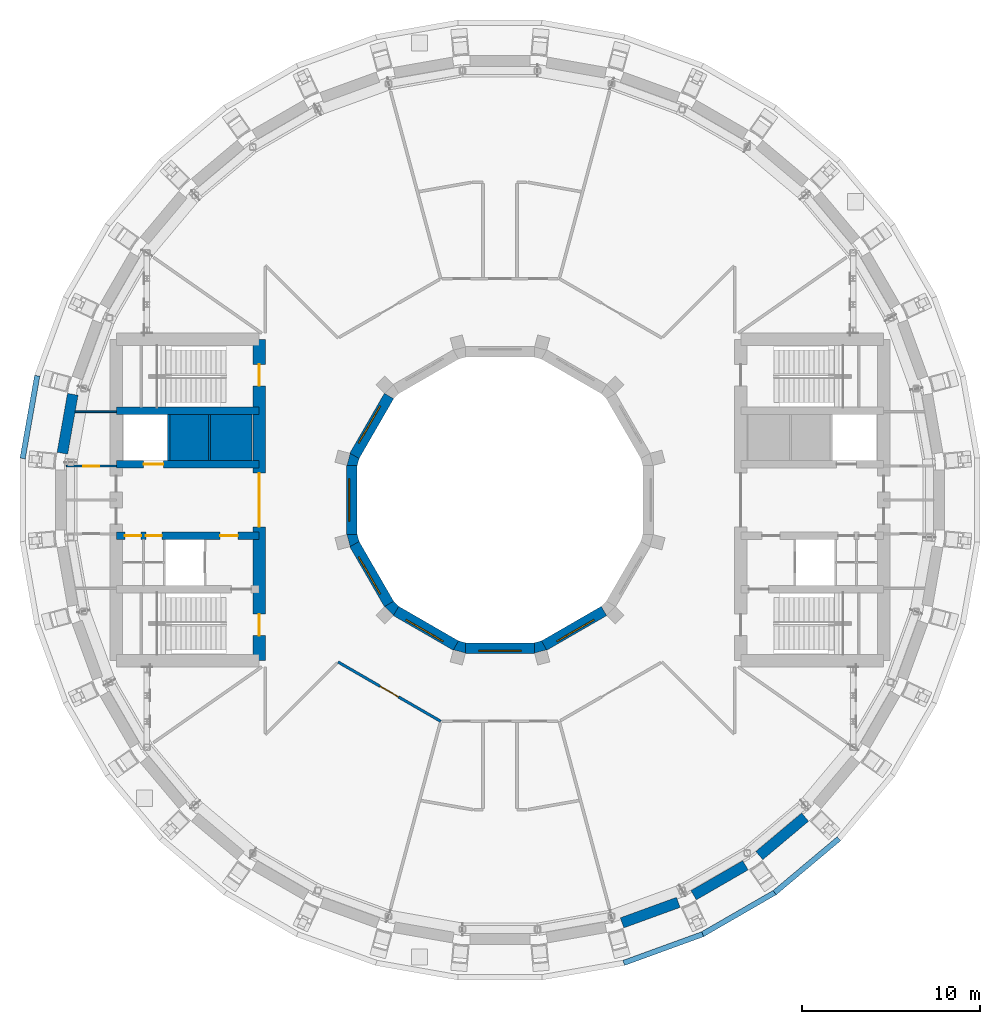
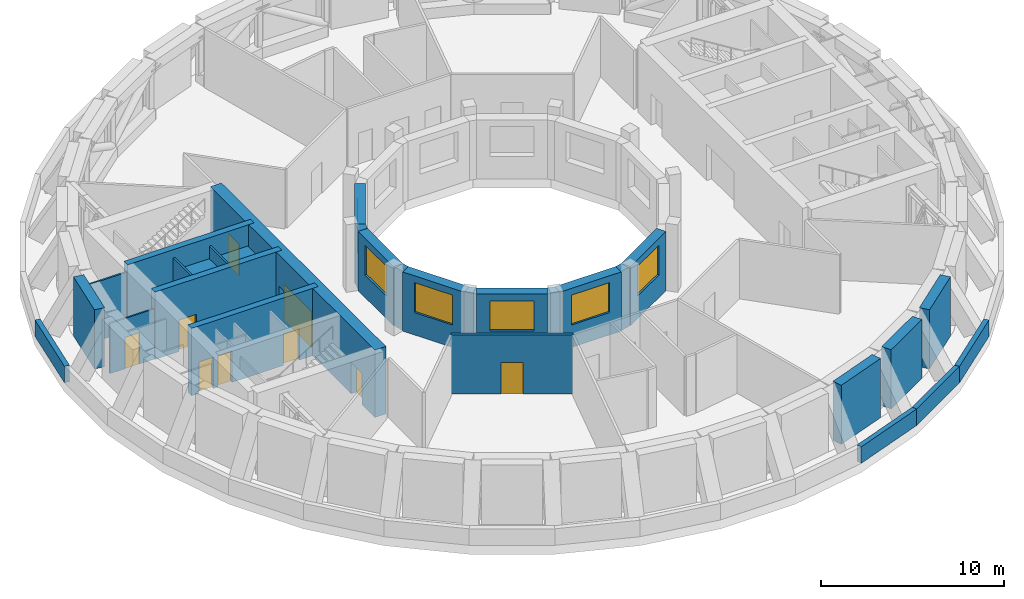
# One storey, part 11 of 20: 30 walls, 9 doors, 6 windows, 15 openings.
"""IFC4 building model written with IfcOpenShell, lengths in metres."""

import ifcopenshell
import ifcopenshell.guid

model = None  # the IFC model being written
_history = None  # IfcOwnerHistory: only IFC2X3 demands one
_inside = {}  # id of a spatial element -> (the spatial element, [elements in it])
_under = {}  # id of a project, library or spatial element -> (it, [spatial elements below it])
_declared = {}  # id of a project -> (the project, [libraries it declares])
_typed = {}  # id of a type object -> (the type object, [elements of that type])
_made_of = {}  # id of a material, layer set ... -> (it, [elements and type objects made of it])


def new_model(schema):
    """Start an empty IFC model of exactly this schema.

    Asked for "IFC4X3", IfcOpenShell would pick the latest addendum, in which some entities
    have other attributes; the version numbers below select the first issue.
    IFC2X3 requires an IfcOwnerHistory on every rooted entity: one is made here for all.
    """
    global model, _history
    if schema == "IFC4X3":
        model = ifcopenshell.file(schema_version=(4, 3, 0, 0))
    else:
        model = ifcopenshell.file(schema=schema)
    _inside.clear()
    _under.clear()
    _declared.clear()
    _typed.clear()
    _made_of.clear()
    _history = None
    if model.schema == "IFC2X3":
        org = make("IfcOrganization", Name="unknown")
        user = make(
            "IfcPersonAndOrganization",
            ThePerson=make("IfcPerson", FamilyName="unknown"),
            TheOrganization=org,
        )
        app = make(
            "IfcApplication",
            ApplicationDeveloper=org,
            Version="unknown",
            ApplicationFullName="unknown",
            ApplicationIdentifier="unknown",
        )
        _history = make(
            "IfcOwnerHistory",
            OwningUser=user,
            OwningApplication=app,
            ChangeAction="ADDED",
            CreationDate=0,
        )
    return model


def make(cls, **values):
    """One entity of the class cls with the attributes given. An attribute that is None is left unset."""
    return model.create_entity(
        cls, **{name: value for name, value in values.items() if value is not None}
    )


def rooted(cls, **values):
    """An entity with a GlobalId (a new one), such as an element, a storey or a relation."""
    return make(cls, GlobalId=ifcopenshell.guid.new(), OwnerHistory=_history, **values)


def si_unit(unit_type, name, prefix=None):
    """IfcSIUnit, for example si_unit("LENGTHUNIT", "METRE", prefix="MILLI")."""
    return make("IfcSIUnit", UnitType=unit_type, Prefix=prefix, Name=name)


def assignment(units):
    """IfcUnitAssignment: the units of a project."""
    return None if units is None else make("IfcUnitAssignment", Units=units)


def point(xyz):
    """IfcCartesianPoint."""
    return None if xyz is None else make("IfcCartesianPoint", Coordinates=xyz)


def direction(xyz):
    """IfcDirection."""
    return None if xyz is None else make("IfcDirection", DirectionRatios=xyz)


def frame(location, z_axis=None, x_axis=None):
    """IfcAxis2Placement3D, a coordinate frame: its origin and axes. An axis left out is left unset."""
    return make(
        "IfcAxis2Placement3D",
        Location=point(location),
        Axis=direction(z_axis),
        RefDirection=direction(x_axis),
    )


def frame_2d(location, x_axis=None):
    """IfcAxis2Placement2D, a coordinate frame in the plane: its origin and x axis."""
    return make(
        "IfcAxis2Placement2D", Location=point(location), RefDirection=direction(x_axis)
    )


def origin():
    """The frame at (0, 0, 0) with its axes left unset."""
    return frame((0.0, 0.0, 0.0))


def place(relative_to, where):
    """IfcLocalPlacement: puts the frame where relative to a parent placement (None: the world)."""
    return make(
        "IfcLocalPlacement", PlacementRelTo=relative_to, RelativePlacement=where
    )


def context(
    kind, dimensions, precision=None, world=None, true_north=None, identifier=None
):
    """IfcGeometricRepresentationContext, for example the 3D "Model" context."""
    return make(
        "IfcGeometricRepresentationContext",
        ContextIdentifier=identifier,
        ContextType=kind,
        CoordinateSpaceDimension=dimensions,
        Precision=precision,
        WorldCoordinateSystem=world,
        TrueNorth=true_north,
    )


def subcontext(parent, identifier, kind, view, scale=None):
    """IfcGeometricRepresentationSubContext, for example "Body" below "Model"."""
    return make(
        "IfcGeometricRepresentationSubContext",
        ContextIdentifier=identifier,
        ContextType=kind,
        ParentContext=parent,
        TargetScale=scale,
        TargetView=view,
    )


def project(units=None, contexts=None):
    """IfcProject with its units and contexts."""
    return rooted(
        "IfcProject",
        Name="project",
        RepresentationContexts=contexts,
        UnitsInContext=assignment(units),
    )


def spatial(cls, under=None, at=None, **own):
    """A site, building, storey or space (cls), placed at a placement, below another one or the project."""
    s = rooted(cls, ObjectPlacement=at, **own)
    if under is not None:
        _under.setdefault(under.id(), (under, []))[1].append(s)
    return s


def polyline(points):
    """IfcPolyline through the points."""
    return make("IfcPolyline", Points=[point(p) for p in points])


def profile(cls, at=None, kind="AREA", **sizes):
    """A parametric profile (cls). Its sizes go by their IFC names, for example OverallWidth=200.0."""
    return make(cls, ProfileType=kind, Position=at, **sizes)


def rectangle(**sizes):
    """IfcRectangleProfileDef."""
    return profile("IfcRectangleProfileDef", **sizes)


def outline(outer, holes=None, kind="AREA"):
    """IfcArbitraryClosedProfileDef: a profile drawn as a closed curve; with holes, ...WithVoids."""
    if holes is None:
        return make("IfcArbitraryClosedProfileDef", ProfileType=kind, OuterCurve=outer)
    return make(
        "IfcArbitraryProfileDefWithVoids",
        ProfileType=kind,
        OuterCurve=outer,
        InnerCurves=holes,
    )


def extrude(swept, where, along, depth):
    """IfcExtrudedAreaSolid: the profile swept, set in the frame where, extruded along a direction by depth."""
    return make(
        "IfcExtrudedAreaSolid",
        SweptArea=swept,
        Position=where,
        ExtrudedDirection=direction(along),
        Depth=depth,
    )


def shape(context_of_items, identifier, shape_type, items):
    """IfcShapeRepresentation: the items that make up one representation, for example the "Body"."""
    return make(
        "IfcShapeRepresentation",
        ContextOfItems=context_of_items,
        RepresentationIdentifier=identifier,
        RepresentationType=shape_type,
        Items=items,
    )


def material(Name=None, Category=None):
    """IfcMaterial."""
    return make("IfcMaterial", Name=Name, Category=Category)


def layer(
    of_material, thickness, ventilated=None, Name=None, Category=None, Priority=None
):
    """IfcMaterialLayer: one layer of a wall or slab, of a material (None: an air gap)."""
    return make(
        "IfcMaterialLayer",
        Material=of_material,
        LayerThickness=thickness,
        IsVentilated=ventilated,
        Name=Name,
        Category=Category,
        Priority=Priority,
    )


def layer_set(layers, Name=None):
    """IfcMaterialLayerSet."""
    return make("IfcMaterialLayerSet", MaterialLayers=layers, LayerSetName=Name)


def made_of(thing, what):
    """Note that an element or type object is made of a material, layer set ...; save() writes the relation."""
    if what is not None:
        _made_of.setdefault(what.id(), (what, []))[1].append(thing)
    return thing


def type_object(cls, material=None, **own):
    """A type object (cls), such as IfcWallType, which elements share."""
    return made_of(rooted(cls, **own), material)


def element(
    cls,
    number,
    at=None,
    inside=None,
    cuts=None,
    type_object=None,
    material=None,
    context=None,
    identifier="Body",
    shape_type=None,
    held_by="IfcProductDefinitionShape",
    body=None,
    shapes=None,
    **own,
):
    """One element of the class cls, such as IfcWall. Its Tag is "e" and its number.

    at: its placement. inside: the storey or other place that contains it. cuts: it is an
    opening in that element (IfcRelVoidsElement). A single representation is given by context,
    identifier, shape_type and body (its items); several are given by shapes. held_by: the class
    of the entity that holds the representations. save() writes the other relations.
    """
    e = rooted(cls, Tag="e%d" % number, ObjectPlacement=at, **own)
    if body is not None:
        shapes = [shape(context, identifier, shape_type, body)]
    if shapes is not None:
        e.Representation = make(held_by, Representations=shapes)
    if inside is not None:
        _inside.setdefault(inside.id(), (inside, []))[1].append(e)
    if cuts is not None:
        rooted(
            "IfcRelVoidsElement", RelatingBuildingElement=cuts, RelatedOpeningElement=e
        )
    if type_object is not None:
        _typed.setdefault(type_object.id(), (type_object, []))[1].append(e)
    return made_of(e, material)


def fill(opening, filler):
    """IfcRelFillsElement: the door or window that sits in an opening."""
    return rooted(
        "IfcRelFillsElement",
        RelatingOpeningElement=opening,
        RelatedBuildingElement=filler,
    )


def aggregate(whole, parts):
    """IfcRelAggregates: a whole, such as a stair, and the parts it consists of."""
    return rooted("IfcRelAggregates", RelatingObject=whole, RelatedObjects=parts)


def save(model, path):
    """Write the relations noted so far, then the file.

    IfcRelAggregates (storeys below a building ...), IfcRelContainedInSpatialStructure (elements
    in a storey), IfcRelDefinesByType, IfcRelAssociatesMaterial and IfcRelDeclares: one each for
    every whole, place, type object, material and project.
    """
    for whole, parts in _under.values():
        aggregate(whole, parts)
    for where, things in _inside.values():
        rooted(
            "IfcRelContainedInSpatialStructure",
            RelatedElements=things,
            RelatingStructure=where,
        )
    for kind, things in _typed.values():
        rooted("IfcRelDefinesByType", RelatedObjects=things, RelatingType=kind)
    for what, things in _made_of.values():
        rooted("IfcRelAssociatesMaterial", RelatedObjects=things, RelatingMaterial=what)
    for by, libraries in _declared.values():
        rooted("IfcRelDeclares", RelatingContext=by, RelatedDefinitions=libraries)
    model.write(path)


model = new_model("IFC4")

# Units and contexts
model_context = context("Model", 3, precision=1e-05, world=origin(), true_north=direction((0.0, 1.0)))
body_context = subcontext(model_context, "Body", "Model", "MODEL_VIEW")
ifc_project = project(units=[si_unit("LENGTHUNIT", "METRE"), si_unit("AREAUNIT", "SQUARE_METRE"), si_unit("VOLUMEUNIT", "CUBIC_METRE"), si_unit("PLANEANGLEUNIT", "RADIAN"), si_unit("MASSUNIT", "GRAM", prefix="KILO")], contexts=[model_context])

# Site, building, storey
site_placement = place(None, origin())
site = spatial("IfcSite", under=ifc_project, at=site_placement, CompositionType="ELEMENT")
building_placement = place(site_placement, origin())
building = spatial("IfcBuilding", under=site, at=building_placement, Name="Saqina Gate Tower", CompositionType="ELEMENT")
storey_placement = place(building_placement, frame((0.0, 0.0, 151.300048828125)))
storey = spatial("IfcBuildingStorey", under=building, at=storey_placement, Name="L43", CompositionType="ELEMENT", Elevation=151.300048828125)

# Wall
ifc_material_1 = material(Name="Gypsum board on steel studs", Category="steel")
ifc_layer_1 = layer(ifc_material_1, 0.10009765625)
ifc_layer_set_1 = layer_set([ifc_layer_1], Name="CORE PARTITION")
wall_type_1 = type_object("IfcWallType", Name="CORE PARTITION", PredefinedType="PARTITIONING", material=ifc_layer_set_1)
wall_1_placement = place(storey_placement, frame((-21.5, 4.949951171875, 0.0), z_axis=(0.0, 0.0, 1.0), x_axis=(-1.0, 0.0, 0.0)))
element("IfcWall", 1, at=wall_1_placement, inside=storey, type_object=wall_type_1, Name="L43-CP-W01", PredefinedType="PARTITIONING", context=body_context, shape_type="SweptSolid", body=[
    extrude(rectangle(XDim=2.306884765625, YDim=0.10009765625, at=frame_2d((1.1533203125, 0.0))), origin(), (0.0, 0.0, 1.0), 3.949951171875),
])

# Wall, opening, door
wall_2_placement = place(storey_placement, frame((-21.5, 1.89990234375, 0.0), z_axis=(0.0, 0.0, 1.0), x_axis=(-1.0, 0.0, 0.0)))
wall_2 = element("IfcWall", 2, at=wall_2_placement, inside=storey, type_object=wall_type_1, Name="L43-CP-W02", PredefinedType="PARTITIONING", context=body_context, shape_type="SweptSolid", body=[
    extrude(rectangle(XDim=2.804931640625, YDim=0.10009765625, at=frame_2d((1.40234375, 0.0))), origin(), (0.0, 0.0, 1.0), 3.35595703125),
])
opening_1_placement = place(wall_2_placement, frame((0.952392578125, 0.0, 0.0)))
opening_1 = element("IfcOpeningElement", 3, at=opening_1_placement, cuts=wall_2, Name="Opening L43-D106", PredefinedType="OPENING", context=body_context, shape_type="SweptSolid", body=[
    extrude(rectangle(XDim=0.89990234375, YDim=2.10009765625, at=frame_2d((0.449951171875, 1.050048828125))), frame((0.0, 0.06201171875, 0.0), z_axis=(0.0, -1.0, 0.0), x_axis=(1.0, 0.0, 0.0)), (0.0, 0.0, 1.0), 0.1240234375),
])
ifc_material_2 = material(Name="Steel-framed fire door leaf, EI 60", Category="steel")
door_type_1 = type_object("IfcDoorType", Name="SERVICE ROOM DOOR 900", OperationType="SINGLE_SWING_LEFT", PredefinedType="DOOR", material=ifc_material_2)
door_1_placement = place(opening_1_placement, frame((0.89990234375, 0.0, 0.0), z_axis=(0.0, 0.0, 1.0), x_axis=(-1.0, 0.0, 0.0)))
door_1 = element("IfcDoor", 4, at=door_1_placement, inside=storey, type_object=door_type_1, Name="L43-CD-W17", OperationType="SINGLE_SWING_RIGHT", OverallHeight=2.10009765625, OverallWidth=0.89990234375, PredefinedType="DOOR", context=body_context, shape_type="SweptSolid", body=[
    extrude(rectangle(XDim=0.89990234375, YDim=2.10009765625, at=frame_2d((0.449951171875, 1.050048828125))), frame((0.0, 0.02490234375, 0.0), z_axis=(0.0, -1.0, 0.0), x_axis=(1.0, 0.0, 0.0)), (0.0, 0.0, 1.0), 0.050048828125),
])
fill(opening_1, door_1)

# Walls
ifc_material_3 = material(Name="Brick masonry (buff)", Category="masonry")
ifc_layer_2 = layer(ifc_material_3, 0.60009765625)
ifc_layer_set_2 = layer_set([ifc_layer_2], Name="FW-BRICK-BUFF")
wall_type_2 = type_object("IfcWallType", Name="FW-BRICK-BUFF", PredefinedType="SOLIDWALL", material=ifc_layer_set_2)
for number, where, z_axis, x_axis, name in (
    (5, (6.841552734375, -23.69384765625, 0.0), (0.0, 0.0, 1.0), (0.939699748315, 0.342000559967, 0.0), "Facade wall L43 facet 29"),
    (6, (10.85205078125, -22.145751953125, 0.0), (0.0, 0.0, 1.0), (0.866041139319, 0.499972744263, 0.0), "Facade wall L43 facet 30"),
    (7, (14.53271484375, -19.9248046875, 0.0), (0.0, 0.0, 1.0), (0.766078076858, 0.642747524428, 0.0), "Facade wall L43 facet 31"),
):
    element("IfcWall", number, at=place(storey_placement, frame(where, z_axis=z_axis, x_axis=x_axis)), inside=storey, type_object=wall_type_2, Name=name, PredefinedType="SOLIDWALL", context=body_context, shape_type="SweptSolid", body=[
        extrude(rectangle(XDim=3.349365234375, YDim=0.60009765625, at=frame_2d((1.6748046875, 0.0))), origin(), (0.0, 0.0, 1.0), 3.949951171875),
    ])
ifc_material_4 = material(Name="Glazed ceramic tile (white)", Category="ceramic")
ifc_layer_3 = layer(ifc_material_4, 0.60009765625)
ifc_layer_set_3 = layer_set([ifc_layer_3], Name="FW-TILE-WH")
wall_type_3 = type_object("IfcWallType", Name="FW-TILE-WH", PredefinedType="SOLIDWALL", material=ifc_layer_set_3)
wall_3_placement = place(storey_placement, frame((-23.940185546875, 5.921875, 0.0), z_axis=(0.0, 0.0, 1.0), x_axis=(-0.173693855351, -0.984799697712, 0.0)))
element("IfcWall", 8, at=wall_3_placement, inside=storey, type_object=wall_type_3, Name="Facade wall L43 facet 17", PredefinedType="SOLIDWALL", context=body_context, shape_type="SweptSolid", body=[
    extrude(rectangle(XDim=3.349609375, YDim=0.60009765625, at=frame_2d((1.6748046875, 0.0))), origin(), (0.0, 0.0, 1.0), 3.949951171875),
])

# Wall, opening, window
ifc_material_5 = material(Name="Glazed ceramic tile", Category="ceramic")
ifc_layer_4 = layer(ifc_material_5, 0.60009765625)
ifc_layer_set_4 = layer_set([ifc_layer_4], Name="IW-TILE")
wall_type_4 = type_object("IfcWallType", Name="IW-TILE", PredefinedType="SOLIDWALL", material=ifc_layer_set_4)
wall_4_placement = place(storey_placement, frame((-6.220458984375, 5.82568359375, 0.0), z_axis=(0.0, 0.0, 1.0), x_axis=(-0.500033728941, -0.866005929495, 0.0)))
wall_4 = element("IfcWall", 9, at=wall_4_placement, inside=storey, type_object=wall_type_4, Name="Well wall L43 facet 5", PredefinedType="SOLIDWALL", context=body_context, shape_type="SweptSolid", body=[
    extrude(rectangle(XDim=3.869873046875, YDim=0.60009765625, at=frame_2d((1.93505859375, 0.0))), origin(), (0.0, 0.0, 1.0), 3.949951171875),
])
opening_2_placement = place(wall_4_placement, frame((0.73486328125, 0.0, 1.5)))
opening_2 = element("IfcOpeningElement", 10, at=opening_2_placement, cuts=wall_4, Name="Opening L43-W05", PredefinedType="OPENING", context=body_context, shape_type="SweptSolid", body=[
    extrude(rectangle(XDim=2.39990234375, YDim=2.0, at=frame_2d((1.199951171875, 1.0))), frame((0.0, 0.31201171875, 0.0), z_axis=(0.0, -1.0, 0.0), x_axis=(1.0, 0.0, 0.0)), (0.0, 0.0, 1.0), 0.6240234375),
])
ifc_material_6 = material(Name="Aluminium glazing", Category="aluminium")
window_type = type_object("IfcWindowType", Name="WN-P", PartitioningType="SINGLE_PANEL", PredefinedType="WINDOW", material=ifc_material_6)
window_1_placement = place(opening_2_placement, origin())
window_1 = element("IfcWindow", 11, at=window_1_placement, inside=storey, type_object=window_type, Name="Well window L43 facet 5", OverallHeight=2.0, OverallWidth=2.39990234375, PartitioningType="SINGLE_PANEL", PredefinedType="WINDOW", context=body_context, shape_type="SweptSolid", body=[
    extrude(rectangle(XDim=2.39990234375, YDim=2.0, at=frame_2d((1.199951171875, 1.0))), frame((0.0, -0.119873046875, 0.0), z_axis=(0.0, -1.0, 0.0), x_axis=(1.0, 0.0, 0.0)), (0.0, 0.0, 1.0), 0.06005859375),
])
fill(opening_2, window_1)

wall_5_placement = place(storey_placement, frame((-8.300048828125, 1.934814453125, 0.0), z_axis=(0.0, 0.0, 1.0), x_axis=(0.0, -1.0, 0.0)))
wall_5 = element("IfcWall", 12, at=wall_5_placement, inside=storey, type_object=wall_type_4, Name="Well wall L43 facet 6", PredefinedType="SOLIDWALL", context=body_context, shape_type="SweptSolid", body=[
    extrude(rectangle(XDim=3.86962890625, YDim=0.60009765625, at=frame_2d((1.934814453125, 0.0))), origin(), (0.0, 0.0, 1.0), 3.949951171875),
])
opening_3_placement = place(wall_5_placement, frame((0.73486328125, 0.0, 1.5)))
opening_3 = element("IfcOpeningElement", 13, at=opening_3_placement, cuts=wall_5, Name="Opening L43-W06", PredefinedType="OPENING", context=body_context, shape_type="SweptSolid", body=[
    extrude(rectangle(XDim=2.39990234375, YDim=2.0, at=frame_2d((1.199951171875, 1.0))), frame((0.0, 0.31201171875, 0.0), z_axis=(0.0, -1.0, 0.0), x_axis=(1.0, 0.0, 0.0)), (0.0, 0.0, 1.0), 0.6240234375),
])
window_2_placement = place(opening_3_placement, origin())
window_2 = element("IfcWindow", 14, at=window_2_placement, inside=storey, type_object=window_type, Name="Well window L43 facet 6", OverallHeight=2.0, OverallWidth=2.39990234375, PartitioningType="SINGLE_PANEL", PredefinedType="WINDOW", context=body_context, shape_type="SweptSolid", body=[
    extrude(rectangle(XDim=2.39990234375, YDim=2.0, at=frame_2d((1.199951171875, 1.0))), frame((0.0, -0.119873046875, 0.0), z_axis=(0.0, -1.0, 0.0), x_axis=(1.0, 0.0, 0.0)), (0.0, 0.0, 1.0), 0.06005859375),
])
fill(opening_3, window_2)

wall_6_placement = place(storey_placement, frame((-8.155517578125, -2.474365234375, 0.0), z_axis=(0.0, 0.0, 1.0), x_axis=(0.500033728941, -0.866005929495, 0.0)))
wall_6 = element("IfcWall", 15, at=wall_6_placement, inside=storey, type_object=wall_type_4, Name="Well wall L43 facet 7", PredefinedType="SOLIDWALL", context=body_context, shape_type="SweptSolid", body=[
    extrude(rectangle(XDim=3.869873046875, YDim=0.60009765625, at=frame_2d((1.93505859375, 0.0))), origin(), (0.0, 0.0, 1.0), 3.949951171875),
])
opening_4_placement = place(wall_6_placement, frame((0.73486328125, 0.0, 1.5)))
opening_4 = element("IfcOpeningElement", 16, at=opening_4_placement, cuts=wall_6, Name="Opening L43-W07", PredefinedType="OPENING", context=body_context, shape_type="SweptSolid", body=[
    extrude(rectangle(XDim=2.39990234375, YDim=2.0, at=frame_2d((1.199951171875, 1.0))), frame((0.0, 0.31201171875, 0.0), z_axis=(0.0, -1.0, 0.0), x_axis=(1.0, 0.0, 0.0)), (0.0, 0.0, 1.0), 0.6240234375),
])
window_3_placement = place(opening_4_placement, origin())
window_3 = element("IfcWindow", 17, at=window_3_placement, inside=storey, type_object=window_type, Name="Well window L43 facet 7", OverallHeight=2.0, OverallWidth=2.39990234375, PartitioningType="SINGLE_PANEL", PredefinedType="WINDOW", context=body_context, shape_type="SweptSolid", body=[
    extrude(rectangle(XDim=2.39990234375, YDim=2.0, at=frame_2d((1.199951171875, 1.0))), frame((0.0, -0.119873046875, 0.0), z_axis=(0.0, -1.0, 0.0), x_axis=(1.0, 0.0, 0.0)), (0.0, 0.0, 1.0), 0.06005859375),
])
fill(opening_4, window_3)

wall_7_placement = place(storey_placement, frame((-5.82568359375, -6.220458984375, 0.0), z_axis=(0.0, 0.0, 1.0), x_axis=(0.866005929495, -0.500033728941, 0.0)))
wall_7 = element("IfcWall", 18, at=wall_7_placement, inside=storey, type_object=wall_type_4, Name="Well wall L43 facet 8", PredefinedType="SOLIDWALL", context=body_context, shape_type="SweptSolid", body=[
    extrude(rectangle(XDim=3.869873046875, YDim=0.60009765625, at=frame_2d((1.93505859375, 0.0))), origin(), (0.0, 0.0, 1.0), 3.949951171875),
])
opening_5_placement = place(wall_7_placement, frame((0.73486328125, 0.0, 1.5)))
opening_5 = element("IfcOpeningElement", 19, at=opening_5_placement, cuts=wall_7, Name="Opening L43-W08", PredefinedType="OPENING", context=body_context, shape_type="SweptSolid", body=[
    extrude(rectangle(XDim=2.39990234375, YDim=2.0, at=frame_2d((1.199951171875, 1.0))), frame((0.0, 0.31201171875, 0.0), z_axis=(0.0, -1.0, 0.0), x_axis=(1.0, 0.0, 0.0)), (0.0, 0.0, 1.0), 0.6240234375),
])
window_4_placement = place(opening_5_placement, origin())
window_4 = element("IfcWindow", 20, at=window_4_placement, inside=storey, type_object=window_type, Name="Well window L43 facet 8", OverallHeight=2.0, OverallWidth=2.39990234375, PartitioningType="SINGLE_PANEL", PredefinedType="WINDOW", context=body_context, shape_type="SweptSolid", body=[
    extrude(rectangle(XDim=2.39990234375, YDim=2.0, at=frame_2d((1.199951171875, 1.0))), frame((0.0, -0.119873046875, 0.0), z_axis=(0.0, -1.0, 0.0), x_axis=(1.0, 0.0, 0.0)), (0.0, 0.0, 1.0), 0.06005859375),
])
fill(opening_5, window_4)

wall_8_placement = place(storey_placement, frame((-1.934814453125, -8.300048828125, 0.0), z_axis=(0.0, 0.0, 1.0), x_axis=(1.0, 0.0, 0.0)))
wall_8 = element("IfcWall", 21, at=wall_8_placement, inside=storey, type_object=wall_type_4, Name="Well wall L43 facet 9", PredefinedType="SOLIDWALL", context=body_context, shape_type="SweptSolid", body=[
    extrude(rectangle(XDim=3.86962890625, YDim=0.60009765625, at=frame_2d((1.934814453125, 0.0))), origin(), (0.0, 0.0, 1.0), 3.949951171875),
])
opening_6_placement = place(wall_8_placement, frame((0.73486328125, 0.0, 1.5)))
opening_6 = element("IfcOpeningElement", 22, at=opening_6_placement, cuts=wall_8, Name="Opening L43-W09", PredefinedType="OPENING", context=body_context, shape_type="SweptSolid", body=[
    extrude(rectangle(XDim=2.39990234375, YDim=2.0, at=frame_2d((1.199951171875, 1.0))), frame((0.0, 0.31201171875, 0.0), z_axis=(0.0, -1.0, 0.0), x_axis=(1.0, 0.0, 0.0)), (0.0, 0.0, 1.0), 0.6240234375),
])
window_5_placement = place(opening_6_placement, origin())
window_5 = element("IfcWindow", 23, at=window_5_placement, inside=storey, type_object=window_type, Name="Well window L43 facet 9", OverallHeight=2.0, OverallWidth=2.39990234375, PartitioningType="SINGLE_PANEL", PredefinedType="WINDOW", context=body_context, shape_type="SweptSolid", body=[
    extrude(rectangle(XDim=2.39990234375, YDim=2.0, at=frame_2d((1.199951171875, 1.0))), frame((0.0, -0.119873046875, 0.0), z_axis=(0.0, -1.0, 0.0), x_axis=(1.0, 0.0, 0.0)), (0.0, 0.0, 1.0), 0.06005859375),
])
fill(opening_6, window_5)

wall_9_placement = place(storey_placement, frame((2.474365234375, -8.155517578125, 0.0), z_axis=(0.0, 0.0, 1.0), x_axis=(0.866005929495, 0.500033728941, 0.0)))
wall_9 = element("IfcWall", 24, at=wall_9_placement, inside=storey, type_object=wall_type_4, Name="Well wall L43 facet 10", PredefinedType="SOLIDWALL", context=body_context, shape_type="SweptSolid", body=[
    extrude(rectangle(XDim=3.869873046875, YDim=0.60009765625, at=frame_2d((1.93505859375, 0.0))), origin(), (0.0, 0.0, 1.0), 3.949951171875),
])
opening_7_placement = place(wall_9_placement, frame((0.73486328125, 0.0, 1.5)))
opening_7 = element("IfcOpeningElement", 25, at=opening_7_placement, cuts=wall_9, Name="Opening L43-W10", PredefinedType="OPENING", context=body_context, shape_type="SweptSolid", body=[
    extrude(rectangle(XDim=2.39990234375, YDim=2.0, at=frame_2d((1.199951171875, 1.0))), frame((0.0, 0.31201171875, 0.0), z_axis=(0.0, -1.0, 0.0), x_axis=(1.0, 0.0, 0.0)), (0.0, 0.0, 1.0), 0.6240234375),
])
window_6_placement = place(opening_7_placement, origin())
window_6 = element("IfcWindow", 26, at=window_6_placement, inside=storey, type_object=window_type, Name="Well window L43 facet 10", OverallHeight=2.0, OverallWidth=2.39990234375, PartitioningType="SINGLE_PANEL", PredefinedType="WINDOW", context=body_context, shape_type="SweptSolid", body=[
    extrude(rectangle(XDim=2.39990234375, YDim=2.0, at=frame_2d((1.199951171875, 1.0))), frame((0.0, -0.119873046875, 0.0), z_axis=(0.0, -1.0, 0.0), x_axis=(1.0, 0.0, 0.0)), (0.0, 0.0, 1.0), 0.06005859375),
])
fill(opening_7, window_6)

# Walls
ifc_material_7 = material(Name="Concrete C40/50", Category="concrete")
ifc_layer_5 = layer(ifc_material_7, 2.60009765625)
ifc_layer_set_5 = layer_set([ifc_layer_5], Name="Concrete C40/50")
wall_type_5 = type_object("IfcWallType", Name="LIFT PIT PEDESTAL 2600", PredefinedType="SOLIDWALL", material=ifc_layer_set_5)
wall_10_placement = place(storey_placement, frame((-13.909912109375, 3.5, 0.0), z_axis=(0.0, 0.0, 1.0), x_axis=(-1.0, 0.0, 0.0)))
element("IfcWall", 27, at=wall_10_placement, inside=storey, type_object=wall_type_5, Name="LIFT PIT BASE HR3", PredefinedType="SOLIDWALL", context=body_context, shape_type="SweptSolid", body=[
    extrude(rectangle(XDim=2.31005859375, YDim=2.60009765625, at=frame_2d((1.155029296875, 0.0))), origin(), (0.0, 0.0, 1.0), 3.099853515625),
])
wall_11_placement = place(storey_placement, frame((-16.340087890625, 3.5, 0.0), z_axis=(0.0, 0.0, 1.0), x_axis=(-1.0, 0.0, 0.0)))
element("IfcWall", 28, at=wall_11_placement, inside=storey, type_object=wall_type_5, Name="LIFT PIT BASE HR4", PredefinedType="SOLIDWALL", context=body_context, shape_type="SweptSolid", body=[
    extrude(rectangle(XDim=2.159912109375, YDim=2.60009765625, at=frame_2d((1.080078125, 0.0))), origin(), (0.0, 0.0, 1.0), 3.099853515625),
])
ifc_material_8 = material(Name="Brick masonry (buff)", Category="masonry")
ifc_layer_6 = layer(ifc_material_8, 0.300048828125)
ifc_layer_set_6 = layer_set([ifc_layer_6], Name="PA-ROOF")
wall_type_6 = type_object("IfcWallType", Name="PA-ROOF", PredefinedType="PARAPET", material=ifc_layer_set_6)
wall_12_placement = place(storey_placement, frame((-25.932373046875, 6.962158203125, 0.0), z_axis=(0.0, 0.0, 1.0), x_axis=(-0.173619615708, -0.984812788829, 0.0)))
element("IfcWall", 29, at=wall_12_placement, inside=storey, type_object=wall_type_6, Name="Parapet L43 edge 17", PredefinedType="PARAPET", context=body_context, shape_type="SweptSolid", body=[
    extrude(rectangle(XDim=4.70654296875, YDim=0.300048828125, at=frame_2d((2.353271484375, 0.0))), origin(), (0.0, 0.0, 1.0), 1.099853515625),
])
for number, where, z_axis, x_axis, name in (
    (30, (6.936767578125, -25.93896484375, 0.0), (0.0, 0.0, 1.0), (0.939697968941, 0.342005449033, 0.0), "Parapet L43 edge 29"),
    (31, (11.335693359375, -24.34033203125, 0.0), (0.0, 0.0, 1.0), (0.866044782366, 0.499966433809, 0.0), "Parapet L43 edge 30"),
):
    element("IfcWall", number, at=place(storey_placement, frame(where, z_axis=z_axis, x_axis=x_axis)), inside=storey, type_object=wall_type_6, Name=name, PredefinedType="PARAPET", context=body_context, shape_type="SweptSolid", body=[
        extrude(rectangle(XDim=4.706298828125, YDim=0.300048828125, at=frame_2d((2.35302734375, 0.0))), origin(), (0.0, 0.0, 1.0), 1.099853515625),
    ])
wall_13_placement = place(storey_placement, frame((15.39013671875, -22.002197265625, 0.0), z_axis=(0.0, 0.0, 1.0), x_axis=(0.766065473319, 0.642762546038, 0.0)))
element("IfcWall", 32, at=wall_13_placement, inside=storey, type_object=wall_type_6, Name="Parapet L43 edge 31", PredefinedType="PARAPET", context=body_context, shape_type="SweptSolid", body=[
    extrude(rectangle(XDim=4.70654296875, YDim=0.300048828125, at=frame_2d((2.353271484375, 0.0))), origin(), (0.0, 0.0, 1.0), 1.099853515625),
])
ifc_material_9 = material(Name="Autoclaved aerated concrete block", Category="concrete")
ifc_layer_7 = layer(ifc_material_9, 0.1201171875)
ifc_layer_set_7 = layer_set([ifc_layer_7], Name="SHAFT PARTITION")
wall_type_7 = type_object("IfcWallType", Name="SHAFT PARTITION", PredefinedType="PARTITIONING", material=ifc_layer_set_7)
for number, where, z_axis, x_axis, name in (
    (33, (-16.280029296875, 2.199951171875, 0.0), (0.0, 0.0, 1.0), (0.0, 1.0, 0.0), "L43-CP-W06"),
    (34, (-18.56005859375, 2.199951171875, 0.0), (0.0, 0.0, 1.0), (0.0, 1.0, 0.0), "L43-CP-W07"),
):
    element("IfcWall", number, at=place(storey_placement, frame(where, z_axis=z_axis, x_axis=x_axis)), inside=storey, type_object=wall_type_7, Name=name, PredefinedType="PARTITIONING", context=body_context, shape_type="SweptSolid", body=[
        extrude(rectangle(XDim=2.60009765625, YDim=0.1201171875, at=frame_2d((1.300048828125, 0.0))), origin(), (0.0, 0.0, 1.0), 3.949951171875),
    ])

# Wall, opening, door
ifc_material_10 = material(Name="Masonry block and plaster, 150 mm, fire rated", Category="masonry")
ifc_layer_8 = layer(ifc_material_10, 0.14990234375)
ifc_layer_set_8 = layer_set([ifc_layer_8], Name="SPECIAL PARTITION EI 60 150")
wall_type_8 = type_object("IfcWallType", Name="SPECIAL PARTITION EI 60 150", PredefinedType="PARTITIONING", material=ifc_layer_set_8)
wall_14_placement = place(storey_placement, frame((-9.076904296875, -9.076904296875, 0.0), z_axis=(0.0, 0.0, 1.0), x_axis=(0.865961614908, -0.500110469302, 0.0)))
wall_14 = element("IfcWall", 35, at=wall_14_placement, inside=storey, type_object=wall_type_8, Name="PARTITION 007", PredefinedType="PARTITIONING", context=body_context, shape_type="SweptSolid", body=[
    extrude(rectangle(XDim=6.64453125, YDim=0.14990234375, at=frame_2d((3.322265625, 0.0))), origin(), (0.0, 0.0, 1.0), 3.949951171875),
])
opening_8_placement = place(wall_14_placement, frame((2.722412109375, 0.0, 0.0)))
opening_8 = element("IfcOpeningElement", 36, at=opening_8_placement, cuts=wall_14, Name="Opening L43-D06", PredefinedType="OPENING", context=body_context, shape_type="SweptSolid", body=[
    extrude(rectangle(XDim=1.199951171875, YDim=2.10009765625, at=frame_2d((0.60009765625, 1.050048828125))), frame((0.0, 0.0869140625, 0.0), z_axis=(0.0, -1.0, 0.0), x_axis=(1.0, 0.0, 0.0)), (0.0, 0.0, 1.0), 0.173828125),
])
ifc_material_11 = material(Name="Steel-framed fire door leaf, EI 60", Category="steel")
door_type_2 = type_object("IfcDoorType", Name="SPECIAL DOOR 1200 FIRE EI 60", OperationType="SINGLE_SWING_LEFT", PredefinedType="DOOR", material=ifc_material_11)
door_2_placement = place(opening_8_placement, origin())
door_2 = element("IfcDoor", 37, at=door_2_placement, inside=storey, type_object=door_type_2, Name="DOOR L43-D06", OperationType="SINGLE_SWING_LEFT", OverallHeight=2.10009765625, OverallWidth=1.199951171875, PredefinedType="DOOR", context=body_context, shape_type="SweptSolid", body=[
    extrude(rectangle(XDim=1.199951171875, YDim=2.10009765625, at=frame_2d((0.60009765625, 1.050048828125))), frame((0.0, 0.02490234375, 0.0), z_axis=(0.0, -1.0, 0.0), x_axis=(1.0, 0.0, 0.0)), (0.0, 0.0, 1.0), 0.050048828125),
])
fill(opening_8, door_2)

# Wall
ifc_material_12 = material(Name="Concrete C60/75", Category="concrete")
ifc_layer_9 = layer(ifc_material_12, 0.39990234375)
ifc_layer_set_9 = layer_set([ifc_layer_9], Name="Concrete C60/75")
wall_type_9 = type_object("IfcWallType", Name="STR-CORE WALL-C-I", PredefinedType="SHEAR", material=ifc_layer_set_9)
wall_15_placement = place(storey_placement, frame((-13.5, 5.0, 0.0), z_axis=(0.0, 0.0, 1.0), x_axis=(-1.0, 0.0, 0.0)))
element("IfcWall", 38, at=wall_15_placement, inside=storey, type_object=wall_type_9, Name="CORE WALL L43 W-X1", PredefinedType="SHEAR", context=body_context, shape_type="SweptSolid", body=[
    extrude(rectangle(XDim=8.0, YDim=0.39990234375, at=frame_2d((4.0, 0.0))), origin(), (0.0, 0.0, 1.0), 4.5),
])

# Wall, opening, door
wall_16_placement = place(storey_placement, frame((-13.5, 2.0, 0.0), z_axis=(0.0, 0.0, 1.0), x_axis=(-1.0, 0.0, 0.0)))
wall_16 = element("IfcWall", 39, at=wall_16_placement, inside=storey, type_object=wall_type_9, Name="CORE WALL L43 W-L1", PredefinedType="SHEAR", context=body_context, shape_type="SweptSolid", body=[
    extrude(rectangle(XDim=8.0, YDim=0.39990234375, at=frame_2d((4.0, 0.0))), origin(), (0.0, 0.0, 1.0), 4.5),
])
opening_9_placement = place(wall_16_placement, frame((5.3701171875, 0.0, 0.0)))
opening_9 = element("IfcOpeningElement", 40, at=opening_9_placement, cuts=wall_16, Name="Opening L43-LD3", PredefinedType="OPENING", context=body_context, shape_type="SweptSolid", body=[
    extrude(rectangle(XDim=1.10009765625, YDim=2.10009765625, at=frame_2d((0.550048828125, 1.050048828125))), frame((0.0, 0.2119140625, 0.0), z_axis=(0.0, -1.0, 0.0), x_axis=(1.0, 0.0, 0.0)), (0.0, 0.0, 1.0), 0.423828125),
])
ifc_material_13 = material(Name="Stainless steel", Category="steel")
door_type_3 = type_object("IfcDoorType", Name="LANDING DOOR", OperationType="DOUBLE_DOOR_SLIDING", PredefinedType="DOOR", material=ifc_material_13)
door_3_placement = place(opening_9_placement, origin())
door_3 = element("IfcDoor", 41, at=door_3_placement, inside=storey, type_object=door_type_3, Name="LANDING DOOR MR2", OperationType="DOUBLE_DOOR_SLIDING", OverallHeight=2.10009765625, OverallWidth=1.10009765625, PredefinedType="DOOR", context=body_context, shape_type="SweptSolid", body=[
    extrude(rectangle(XDim=1.10009765625, YDim=2.10009765625, at=frame_2d((0.550048828125, 1.050048828125))), frame((0.0, 0.02490234375, 0.0), z_axis=(0.0, -1.0, 0.0), x_axis=(1.0, 0.0, 0.0)), (0.0, 0.0, 1.0), 0.050048828125),
])
fill(opening_9, door_3)

# Wall, openings, doors
wall_17_placement = place(storey_placement, frame((-13.5, -2.0, 0.0), z_axis=(0.0, 0.0, 1.0), x_axis=(-1.0, 0.0, 0.0)))
wall_17 = element("IfcWall", 42, at=wall_17_placement, inside=storey, type_object=wall_type_9, Name="CORE WALL L43 W-L2", PredefinedType="SHEAR", context=body_context, shape_type="SweptSolid", body=[
    extrude(rectangle(XDim=8.0, YDim=0.39990234375, at=frame_2d((4.0, 0.0))), origin(), (0.0, 0.0, 1.0), 4.5),
])
opening_10_placement = place(wall_17_placement, frame((1.18994140625, 0.0, 0.0)))
opening_10 = element("IfcOpeningElement", 43, at=opening_10_placement, cuts=wall_17, Name="Opening L43-D103", PredefinedType="OPENING", context=body_context, shape_type="SweptSolid", body=[
    extrude(rectangle(XDim=1.0, YDim=2.10009765625, at=frame_2d((0.5, 1.050048828125))), frame((0.0, 0.2119140625, 0.0), z_axis=(0.0, -1.0, 0.0), x_axis=(1.0, 0.0, 0.0)), (0.0, 0.0, 1.0), 0.423828125),
])
opening_11_placement = place(wall_17_placement, frame((5.445068359375, 0.0, 0.0)))
opening_11 = element("IfcOpeningElement", 44, at=opening_11_placement, cuts=wall_17, Name="Opening L43-D104", PredefinedType="OPENING", context=body_context, shape_type="SweptSolid", body=[
    extrude(rectangle(XDim=0.89990234375, YDim=2.10009765625, at=frame_2d((0.449951171875, 1.050048828125))), frame((0.0, 0.2119140625, 0.0), z_axis=(0.0, -1.0, 0.0), x_axis=(1.0, 0.0, 0.0)), (0.0, 0.0, 1.0), 0.423828125),
])
opening_12_placement = place(wall_17_placement, frame((6.614990234375, 0.0, 0.0)))
opening_12 = element("IfcOpeningElement", 45, at=opening_12_placement, cuts=wall_17, Name="Opening L43-D105", PredefinedType="OPENING", context=body_context, shape_type="SweptSolid", body=[
    extrude(rectangle(XDim=0.89990234375, YDim=2.10009765625, at=frame_2d((0.449951171875, 1.050048828125))), frame((0.0, 0.2119140625, 0.0), z_axis=(0.0, -1.0, 0.0), x_axis=(1.0, 0.0, 0.0)), (0.0, 0.0, 1.0), 0.423828125),
])
ifc_material_14 = material(Name="Steel", Category="steel")
door_type_4 = type_object("IfcDoorType", Name="FIRE LOBBY DOOR EI 60", OperationType="SINGLE_SWING_LEFT", PredefinedType="DOOR", material=ifc_material_14)
door_4_placement = place(opening_10_placement, frame((1.0, 0.0, 0.0), z_axis=(0.0, 0.0, 1.0), x_axis=(-1.0, 0.0, 0.0)))
door_4 = element("IfcDoor", 46, at=door_4_placement, inside=storey, type_object=door_type_4, Name="L43-CD-W14", OperationType="SINGLE_SWING_RIGHT", OverallHeight=2.10009765625, OverallWidth=1.0, PredefinedType="DOOR", context=body_context, shape_type="SweptSolid", body=[
    extrude(rectangle(XDim=1.0, YDim=2.10009765625, at=frame_2d((0.5, 1.050048828125))), frame((0.0, 0.02490234375, 0.0), z_axis=(0.0, -1.0, 0.0), x_axis=(1.0, 0.0, 0.0)), (0.0, 0.0, 1.0), 0.050048828125),
])
fill(opening_10, door_4)
door_5_placement = place(opening_11_placement, origin())
door_5 = element("IfcDoor", 47, at=door_5_placement, inside=storey, type_object=door_type_1, Name="L43-CD-W15", OperationType="SINGLE_SWING_LEFT", OverallHeight=2.10009765625, OverallWidth=0.89990234375, PredefinedType="DOOR", context=body_context, shape_type="SweptSolid", body=[
    extrude(rectangle(XDim=0.89990234375, YDim=2.10009765625, at=frame_2d((0.449951171875, 1.050048828125))), frame((0.0, 0.02490234375, 0.0), z_axis=(0.0, -1.0, 0.0), x_axis=(1.0, 0.0, 0.0)), (0.0, 0.0, 1.0), 0.050048828125),
])
fill(opening_11, door_5)
door_6_placement = place(opening_12_placement, origin())
door_6 = element("IfcDoor", 48, at=door_6_placement, inside=storey, type_object=door_type_1, Name="L43-CD-W16", OperationType="SINGLE_SWING_RIGHT", OverallHeight=2.10009765625, OverallWidth=0.89990234375, PredefinedType="DOOR", context=body_context, shape_type="SweptSolid", body=[
    extrude(rectangle(XDim=0.89990234375, YDim=2.10009765625, at=frame_2d((0.449951171875, 1.050048828125))), frame((0.0, 0.02490234375, 0.0), z_axis=(0.0, -1.0, 0.0), x_axis=(1.0, 0.0, 0.0)), (0.0, 0.0, 1.0), 0.050048828125),
])
fill(opening_12, door_6)

ifc_material_15 = material(Name="Concrete C60/75", Category="concrete")
ifc_layer_10 = layer(ifc_material_15, 0.699951171875)
ifc_layer_set_10 = layer_set([ifc_layer_10], Name="Concrete C60/75")
wall_type_10 = type_object("IfcWallType", Name="STR-CORE WALL-C-O", PredefinedType="SHEAR", material=ifc_layer_set_10)
wall_18_placement = place(storey_placement, frame((-13.5, -9.0, 0.0), z_axis=(0.0, 0.0, 1.0), x_axis=(0.0, 1.0, 0.0)))
wall_18 = element("IfcWall", 49, at=wall_18_placement, inside=storey, type_object=wall_type_10, Name="CORE WALL L43 W-W1", PredefinedType="SHEAR", context=body_context, shape_type="SweptSolid", body=[
    extrude(rectangle(XDim=18.0, YDim=0.699951171875, at=frame_2d((9.0, 0.0))), origin(), (0.0, 0.0, 1.0), 4.5),
])
opening_13_placement = place(wall_18_placement, frame((15.39990234375, 0.0, 0.0)))
opening_13 = element("IfcOpeningElement", 50, at=opening_13_placement, cuts=wall_18, Name="Opening L43-D113", PredefinedType="OPENING", context=body_context, shape_type="SweptSolid", body=[
    extrude(rectangle(XDim=1.199951171875, YDim=2.10009765625, at=frame_2d((0.60009765625, 1.050048828125))), frame((0.0, 0.362060546875, 0.0), z_axis=(0.0, -1.0, 0.0), x_axis=(1.0, 0.0, 0.0)), (0.0, 0.0, 1.0), 0.723876953125),
])
opening_14_placement = place(wall_18_placement, frame((1.39990234375, 0.0, 0.0)))
opening_14 = element("IfcOpeningElement", 51, at=opening_14_placement, cuts=wall_18, Name="Opening L43-D114", PredefinedType="OPENING", context=body_context, shape_type="SweptSolid", body=[
    extrude(rectangle(XDim=1.199951171875, YDim=2.10009765625, at=frame_2d((0.60009765625, 1.050048828125))), frame((0.0, 0.362060546875, 0.0), z_axis=(0.0, -1.0, 0.0), x_axis=(1.0, 0.0, 0.0)), (0.0, 0.0, 1.0), 0.723876953125),
])
opening_15_placement = place(wall_18_placement, frame((7.5, 0.0, 0.0)))
opening_15 = element("IfcOpeningElement", 52, at=opening_15_placement, cuts=wall_18, Name="Opening L43-D115", PredefinedType="OPENING", context=body_context, shape_type="SweptSolid", body=[
    extrude(rectangle(XDim=3.0, YDim=2.39990234375, at=frame_2d((1.5, 1.199951171875))), frame((0.0, 0.362060546875, 0.0), z_axis=(0.0, -1.0, 0.0), x_axis=(1.0, 0.0, 0.0)), (0.0, 0.0, 1.0), 0.723876953125),
])
ifc_material_16 = material(Name="Steel", Category="steel")
door_type_5 = type_object("IfcDoorType", Name="FIRE DOOR EI 60", OperationType="SINGLE_SWING_LEFT", PredefinedType="DOOR", material=ifc_material_16)
door_7_placement = place(opening_13_placement, origin())
door_7 = element("IfcDoor", 53, at=door_7_placement, inside=storey, type_object=door_type_5, Name="L43-CD-W24", OperationType="SINGLE_SWING_RIGHT", OverallHeight=2.10009765625, OverallWidth=1.199951171875, PredefinedType="DOOR", context=body_context, shape_type="SweptSolid", body=[
    extrude(rectangle(XDim=1.199951171875, YDim=2.10009765625, at=frame_2d((0.60009765625, 1.050048828125))), frame((0.0, 0.02490234375, 0.0), z_axis=(0.0, -1.0, 0.0), x_axis=(1.0, 0.0, 0.0)), (0.0, 0.0, 1.0), 0.050048828125),
])
fill(opening_13, door_7)
door_8_placement = place(opening_14_placement, origin())
door_8 = element("IfcDoor", 54, at=door_8_placement, inside=storey, type_object=door_type_5, Name="L43-CD-W25", OperationType="SINGLE_SWING_LEFT", OverallHeight=2.10009765625, OverallWidth=1.199951171875, PredefinedType="DOOR", context=body_context, shape_type="SweptSolid", body=[
    extrude(rectangle(XDim=1.199951171875, YDim=2.10009765625, at=frame_2d((0.60009765625, 1.050048828125))), frame((0.0, 0.02490234375, 0.0), z_axis=(0.0, -1.0, 0.0), x_axis=(1.0, 0.0, 0.0)), (0.0, 0.0, 1.0), 0.050048828125),
])
fill(opening_14, door_8)
ifc_material_17 = material(Name="Steel and fire-resisting glass", Category="steel")
door_type_6 = type_object("IfcDoorType", Name="LOBBY SCREEN DOOR", OperationType="DOUBLE_DOOR_SLIDING", PredefinedType="DOOR", material=ifc_material_17)
door_9_placement = place(opening_15_placement, origin())
door_9 = element("IfcDoor", 55, at=door_9_placement, inside=storey, type_object=door_type_6, Name="L43-CD-W26", OperationType="DOUBLE_DOOR_SLIDING", OverallHeight=2.39990234375, OverallWidth=3.0, PredefinedType="DOOR", context=body_context, shape_type="SweptSolid", body=[
    extrude(rectangle(XDim=3.0, YDim=2.39990234375, at=frame_2d((1.5, 1.199951171875))), frame((0.0, 0.02490234375, 0.0), z_axis=(0.0, -1.0, 0.0), x_axis=(1.0, 0.0, 0.0)), (0.0, 0.0, 1.0), 0.050048828125),
])
fill(opening_15, door_9)

# Walls
ifc_material_18 = material(Name="Glazed ceramic tile", Category="ceramic")
wall_type_11 = type_object("IfcWallType", Name="TILE PIER COPING", PredefinedType="SOLIDWALL", material=ifc_material_18)
wall_19_placement = place(storey_placement, origin())
element("IfcWall", 56, at=wall_19_placement, inside=storey, type_object=wall_type_11, Name="Well pier cap L43 column 6", PredefinedType="SOLIDWALL", context=body_context, shape_type="SweptSolid", body=[
    extrude(outline(polyline([(-8.573486328125, 1.934814453125), (-8.0, 1.934814453125), (-7.895751953125, 2.32421875), (-8.392333984375, 2.611083984375), (-8.573486328125, 1.934814453125)])), origin(), (0.0, 0.0, 1.0), 3.949951171875),
])
wall_20_placement = place(storey_placement, origin())
element("IfcWall", 57, at=wall_20_placement, inside=storey, type_object=wall_type_11, Name="Well pier cap L43 column 7", PredefinedType="SOLIDWALL", context=body_context, shape_type="SweptSolid", body=[
    extrude(outline(polyline([(-8.0, -1.934814453125), (-8.573486328125, -1.934814453125), (-8.392333984375, -2.611083984375), (-7.895751953125, -2.32421875), (-8.0, -1.934814453125)])), origin(), (0.0, 0.0, 1.0), 3.949951171875),
])
wall_21_placement = place(storey_placement, origin())
element("IfcWall", 58, at=wall_21_placement, inside=storey, type_object=wall_type_11, Name="Well pier cap L43 column 8", PredefinedType="SOLIDWALL", context=body_context, shape_type="SweptSolid", body=[
    extrude(outline(polyline([(-6.45751953125, -5.96240234375), (-5.96240234375, -6.45751953125), (-5.67578125, -5.960693359375), (-5.960693359375, -5.67578125), (-6.45751953125, -5.96240234375)])), origin(), (0.0, 0.0, 1.0), 3.949951171875),
])
wall_22_placement = place(storey_placement, origin())
element("IfcWall", 59, at=wall_22_placement, inside=storey, type_object=wall_type_11, Name="Well pier cap L43 column 9", PredefinedType="SOLIDWALL", context=body_context, shape_type="SweptSolid", body=[
    extrude(outline(polyline([(-1.934814453125, -8.573486328125), (-1.934814453125, -8.0), (-2.32421875, -7.895751953125), (-2.611083984375, -8.392333984375), (-1.934814453125, -8.573486328125)])), origin(), (0.0, 0.0, 1.0), 3.949951171875),
])
wall_23_placement = place(storey_placement, origin())
element("IfcWall", 60, at=wall_23_placement, inside=storey, type_object=wall_type_11, Name="Well pier cap L43 column 10", PredefinedType="SOLIDWALL", context=body_context, shape_type="SweptSolid", body=[
    extrude(outline(polyline([(2.611083984375, -8.392333984375), (2.32421875, -7.895751953125), (1.934814453125, -8.0), (1.934814453125, -8.573486328125), (2.611083984375, -8.392333984375)])), origin(), (0.0, 0.0, 1.0), 3.949951171875),
])

save(model, "model.ifc")
